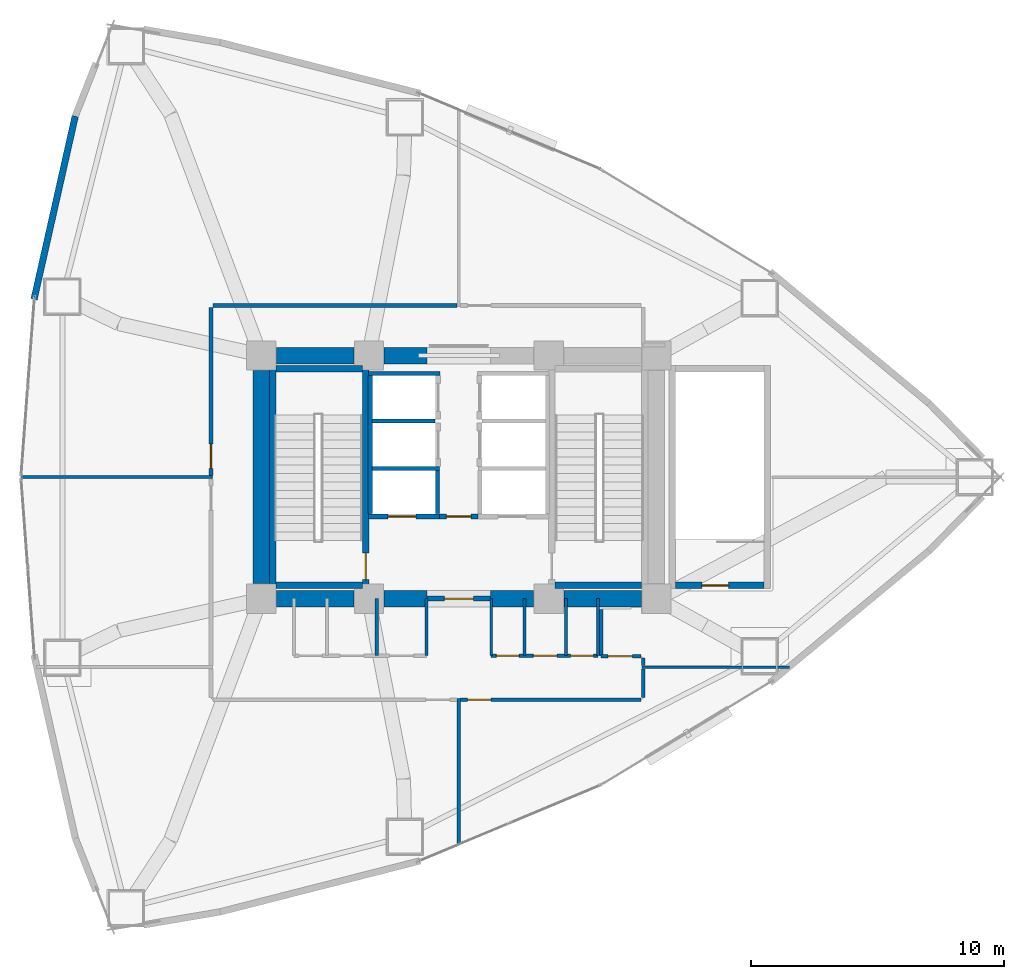
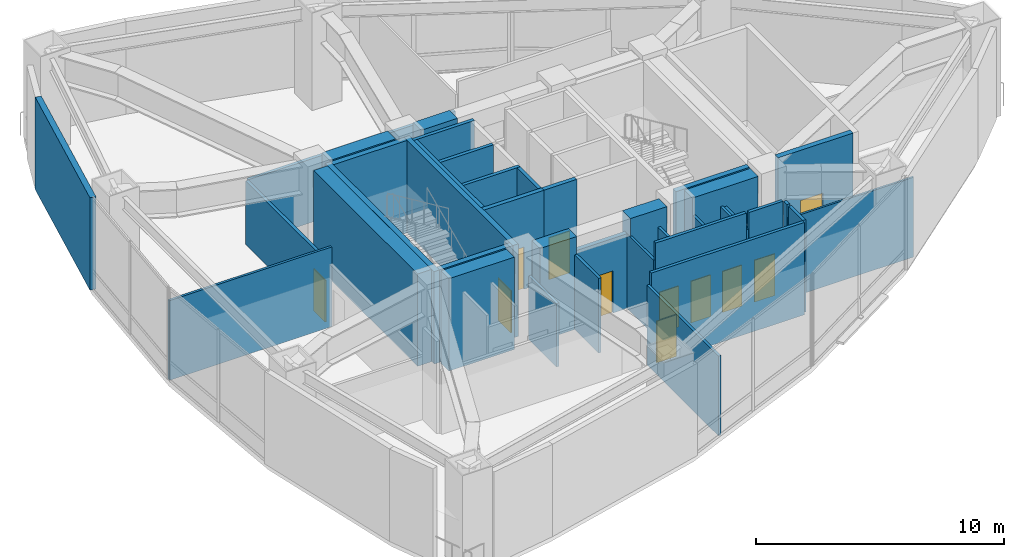
# One storey, part 16 of 19: 39 walls, 11 doors, 11 openings.
"""IFC4 building model written with IfcOpenShell, lengths in metres."""

from ifc_helpers import new_model, si_unit, direction, frame, frame_2d, origin, place, context, subcontext, project, spatial, rectangle, extrude, material, layer, layer_set, type_object, element, fill, save


model = new_model("IFC4")

# Units and contexts
model_context = context("Model", 3, precision=1e-05, world=origin(), true_north=direction((0.0, 1.0)))
body_context = subcontext(model_context, "Body", "Model", "MODEL_VIEW")
ifc_project = project(units=[si_unit("LENGTHUNIT", "METRE"), si_unit("AREAUNIT", "SQUARE_METRE"), si_unit("VOLUMEUNIT", "CUBIC_METRE"), si_unit("PLANEANGLEUNIT", "RADIAN"), si_unit("MASSUNIT", "GRAM", prefix="KILO")], contexts=[model_context])

# Site, building, storey
site_placement = place(None, origin())
site = spatial("IfcSite", under=ifc_project, at=site_placement, CompositionType="ELEMENT")
building_placement = place(site_placement, origin())
building = spatial("IfcBuilding", under=site, at=building_placement, Name="Menara Vayukalpa", CompositionType="ELEMENT")
storey_placement = place(building_placement, frame((0.0, 0.0, 22.800048828125)))
storey = spatial("IfcBuildingStorey", under=building, at=storey_placement, Name="L04", CompositionType="ELEMENT", Elevation=22.800048828125)

# Walls
ifc_material_1 = material(Name="Concrete C80/95", Category="concrete")
ifc_layer_1 = layer(ifc_material_1, 0.64990234375)
ifc_layer_set_1 = layer_set([ifc_layer_1], Name="Concrete C80/95")
wall_type_1 = type_object("IfcWallType", Name="WAL-CW650", PredefinedType="SHEAR", material=ifc_layer_set_1)
wall_1_placement = place(storey_placement, frame((18.39501953125, 17.199951171875, 0.0), z_axis=(0.0, 0.0, 1.0), x_axis=(1.0, 0.0, 0.0)))
element("IfcWall", 1, at=wall_1_placement, inside=storey, type_object=wall_type_1, Name="L04 Buttressed Core Shear Wall CWS1", PredefinedType="SHEAR", context=body_context, shape_type="SweptSolid", body=[
    extrude(rectangle(XDim=3.06005859375, YDim=0.64990234375, at=frame_2d((1.530029296875, 0.0))), origin(), (0.0, 0.0, 1.0), 4.550048828125),
])
wall_2_placement = place(storey_placement, frame((22.64501953125, 17.199951171875, 0.0), z_axis=(0.0, 0.0, 1.0), x_axis=(1.0, 0.0, 0.0)))
element("IfcWall", 2, at=wall_2_placement, inside=storey, type_object=wall_type_1, Name="L04 Buttressed Core Shear Wall CWS2", PredefinedType="SHEAR", context=body_context, shape_type="SweptSolid", body=[
    extrude(rectangle(XDim=1.705078125, YDim=0.64990234375, at=frame_2d((0.8525390625, 0.0))), origin(), (0.0, 0.0, 1.0), 4.550048828125),
])
wall_3_placement = place(storey_placement, frame((26.85009765625, 17.199951171875, 0.0), z_axis=(0.0, 0.0, 1.0), x_axis=(1.0, 0.0, 0.0)))
element("IfcWall", 3, at=wall_3_placement, inside=storey, type_object=wall_type_1, Name="L04 Buttressed Core Shear Wall CWS3", PredefinedType="SHEAR", context=body_context, shape_type="SweptSolid", body=[
    extrude(rectangle(XDim=1.704833984375, YDim=0.64990234375, at=frame_2d((0.8525390625, 0.0))), origin(), (0.0, 0.0, 1.0), 4.550048828125),
])
wall_4_placement = place(storey_placement, frame((29.7451171875, 17.199951171875, 0.0), z_axis=(0.0, 0.0, 1.0), x_axis=(1.0, 0.0, 0.0)))
element("IfcWall", 4, at=wall_4_placement, inside=storey, type_object=wall_type_1, Name="L04 Buttressed Core Shear Wall CWS4", PredefinedType="SHEAR", context=body_context, shape_type="SweptSolid", body=[
    extrude(rectangle(XDim=3.059814453125, YDim=0.64990234375, at=frame_2d((1.52978515625, 0.0))), origin(), (0.0, 0.0, 1.0), 4.550048828125),
])
wall_5_placement = place(storey_placement, frame((18.39501953125, 26.800048828125, 0.0), z_axis=(0.0, 0.0, 1.0), x_axis=(1.0, 0.0, 0.0)))
element("IfcWall", 5, at=wall_5_placement, inside=storey, type_object=wall_type_1, Name="L04 Buttressed Core Shear Wall CWN1", PredefinedType="SHEAR", context=body_context, shape_type="SweptSolid", body=[
    extrude(rectangle(XDim=3.06005859375, YDim=0.64990234375, at=frame_2d((1.530029296875, 0.0))), origin(), (0.0, 0.0, 1.0), 4.550048828125),
])
wall_6_placement = place(storey_placement, frame((22.64501953125, 26.800048828125, 0.0), z_axis=(0.0, 0.0, 1.0), x_axis=(1.0, 0.0, 0.0)))
element("IfcWall", 6, at=wall_6_placement, inside=storey, type_object=wall_type_1, Name="L04 Buttressed Core Shear Wall CWN2", PredefinedType="SHEAR", context=body_context, shape_type="SweptSolid", body=[
    extrude(rectangle(XDim=1.705078125, YDim=0.64990234375, at=frame_2d((0.8525390625, 0.0))), origin(), (0.0, 0.0, 1.0), 4.550048828125),
])
wall_7_placement = place(storey_placement, frame((17.800048828125, 17.794921875, 0.0), z_axis=(0.0, 0.0, 1.0), x_axis=(0.0, 1.0, 0.0)))
element("IfcWall", 7, at=wall_7_placement, inside=storey, type_object=wall_type_1, Name="L04 Buttressed Core Shear Wall CWW1", PredefinedType="SHEAR", context=body_context, shape_type="SweptSolid", body=[
    extrude(rectangle(XDim=8.41015625, YDim=0.64990234375, at=frame_2d((4.205078125, 0.0))), origin(), (0.0, 0.0, 1.0), 4.550048828125),
])
ifc_material_2 = material(Name="Insulated Precast Concrete C40/50", Category="concrete")
ifc_layer_2 = layer(ifc_material_2, 0.260009765625)
ifc_layer_set_2 = layer_set([ifc_layer_2], Name="Insulated Precast Concrete C40/50")
wall_type_2 = type_object("IfcWallType", Name="WAL-EXT260", PredefinedType="PARTITIONING", material=ifc_layer_set_2)
wall_8_placement = place(storey_placement, frame((8.827880859375, 29.021484375, 0.0), z_axis=(0.0, 0.0, 1.0), x_axis=(0.219512195122, 0.975609756098, 0.0)))
element("IfcWall", 8, at=wall_8_placement, inside=storey, type_object=wall_type_2, Name="L04 Perimeter Terracotta Pier Wall 09", PredefinedType="PARTITIONING", context=body_context, shape_type="SweptSolid", body=[
    extrude(rectangle(XDim=7.417236328125, YDim=0.260009765625, at=frame_2d((3.70849609375, 0.0))), origin(), (0.0, 0.0, 1.0), 4.550048828125),
])
ifc_material_3 = material(Name="Lightweight Concrete Blockwork C16/20", Category="masonry")
ifc_layer_3 = layer(ifc_material_3, 0.159912109375)
ifc_layer_set_3 = layer_set([ifc_layer_3], Name="Lightweight Concrete Blockwork C16/20")
wall_type_3 = type_object("IfcWallType", Name="WAL-FR150", PredefinedType="PARTITIONING", material=ifc_layer_set_3)
wall_9_placement = place(storey_placement, frame((22.10498046875, 20.56005859375, 0.0), z_axis=(0.0, 0.0, 1.0), x_axis=(0.0, 1.0, 0.0)))
element("IfcWall", 9, at=wall_9_placement, inside=storey, type_object=wall_type_3, Name="L04 Interior Partition IW-L04-SHW-WW", PredefinedType="PARTITIONING", context=body_context, shape_type="SweptSolid", body=[
    extrude(rectangle(XDim=5.449951171875, YDim=0.159912109375, at=frame_2d((2.72509765625, 0.0))), origin(), (0.0, 0.0, 1.0), 4.550048828125),
])
wall_10_placement = place(storey_placement, frame((24.7548828125, 20.56005859375, 0.0), z_axis=(0.0, 0.0, 1.0), x_axis=(0.0, 1.0, 0.0)))
element("IfcWall", 10, at=wall_10_placement, inside=storey, type_object=wall_type_3, Name="L04 Interior Partition IW-L04-SHW-W1E", PredefinedType="PARTITIONING", context=body_context, shape_type="SweptSolid", body=[
    extrude(rectangle(XDim=1.7099609375, YDim=0.159912109375, at=frame_2d((0.85498046875, 0.0))), origin(), (0.0, 0.0, 1.0), 4.550048828125),
])
wall_11_placement = place(storey_placement, frame((22.179931640625, 22.344970703125, 0.0), z_axis=(0.0, 0.0, 1.0), x_axis=(1.0, 0.0, 0.0)))
element("IfcWall", 11, at=wall_11_placement, inside=storey, type_object=wall_type_3, Name="L04 Interior Partition IW-L04-SHM-W12", PredefinedType="PARTITIONING", context=body_context, shape_type="SweptSolid", body=[
    extrude(rectangle(XDim=2.650146484375, YDim=0.159912109375, at=frame_2d((1.3251953125, 0.0))), origin(), (0.0, 0.0, 1.0), 4.550048828125),
])
wall_12_placement = place(storey_placement, frame((22.179931640625, 24.215087890625, 0.0), z_axis=(0.0, 0.0, 1.0), x_axis=(1.0, 0.0, 0.0)))
element("IfcWall", 12, at=wall_12_placement, inside=storey, type_object=wall_type_3, Name="L04 Interior Partition IW-L04-SHM-W23", PredefinedType="PARTITIONING", context=body_context, shape_type="SweptSolid", body=[
    extrude(rectangle(XDim=2.489990234375, YDim=0.159912109375, at=frame_2d((1.2451171875, 0.0))), origin(), (0.0, 0.0, 1.0), 4.550048828125),
])
wall_13_placement = place(storey_placement, frame((22.030029296875, 26.0849609375, 0.0), z_axis=(0.0, 0.0, 1.0), x_axis=(1.0, 0.0, 0.0)))
element("IfcWall", 13, at=wall_13_placement, inside=storey, type_object=wall_type_3, Name="L04 Interior Partition IW-L04-SHM-W3N", PredefinedType="PARTITIONING", context=body_context, shape_type="SweptSolid", body=[
    extrude(rectangle(XDim=2.830078125, YDim=0.159912109375, at=frame_2d((1.4150390625, 0.0))), origin(), (0.0, 0.0, 1.0), 4.550048828125),
])

# Wall, opening, door
ifc_material_4 = material(Name="Lightweight Concrete Blockwork C16/20", Category="masonry")
ifc_layer_4 = layer(ifc_material_4, 0.199951171875)
ifc_layer_set_4 = layer_set([ifc_layer_4], Name="Lightweight Concrete Blockwork C16/20")
wall_type_4 = type_object("IfcWallType", Name="WAL-FR200", PredefinedType="PARTITIONING", material=ifc_layer_set_4)
wall_14_placement = place(storey_placement, frame((24.35009765625, 17.199951171875, 0.0), z_axis=(0.0, 0.0, 1.0), x_axis=(1.0, 0.0, 0.0)))
wall_14 = element("IfcWall", 14, at=wall_14_placement, inside=storey, type_object=wall_type_4, Name="L04 Interior Partition IW-L04-FFLS", PredefinedType="PARTITIONING", context=body_context, shape_type="SweptSolid", body=[
    extrude(rectangle(XDim=2.5, YDim=0.199951171875, at=frame_2d((1.25, 0.0))), origin(), (0.0, 0.0, 1.0), 3.679931640625),
])
opening_1_placement = place(wall_14_placement, frame((0.679931640625, 0.0, 0.0)))
opening_1 = element("IfcOpeningElement", 15, at=opening_1_placement, cuts=wall_14, Name="Opening ID2", PredefinedType="OPENING", context=body_context, shape_type="SweptSolid", body=[
    extrude(rectangle(XDim=1.14990234375, YDim=2.080078125, at=frame_2d((0.574951171875, 1.0400390625))), frame((0.0, 0.10986328125, 0.0), z_axis=(0.0, -1.0, 0.0), x_axis=(1.0, 0.0, 0.0)), (0.0, 0.0, 1.0), 0.219970703125),
])
ifc_material_5 = material(Name="Fire-Rated Powder-Coated Steel Door", Category="steel")
door_type_1 = type_object("IfcDoorType", Name="DR-FD60W", OperationType="NOTDEFINED", PredefinedType="DOOR", material=ifc_material_5)
door_1_placement = place(opening_1_placement, origin())
door_1 = element("IfcDoor", 16, at=door_1_placement, inside=storey, type_object=door_type_1, Name="L04 Interior Door DR-L04-FFLS", OperationType="SINGLE_SWING_RIGHT", OverallHeight=2.080078125, OverallWidth=1.14990234375, PredefinedType="DOOR", context=body_context, shape_type="SweptSolid", body=[
    extrude(rectangle(XDim=1.14990234375, YDim=2.080078125, at=frame_2d((0.574951171875, 1.0400390625))), frame((0.0, 0.02490234375, 0.0), z_axis=(0.0, -1.0, 0.0), x_axis=(1.0, 0.0, 0.0)), (0.0, 0.0, 1.0), 0.050048828125),
])
fill(opening_1, door_1)

wall_15_placement = place(storey_placement, frame((24.840087890625, 20.449951171875, 0.0), z_axis=(0.0, 0.0, 1.0), x_axis=(1.0, 0.0, 0.0)))
wall_15 = element("IfcWall", 17, at=wall_15_placement, inside=storey, type_object=wall_type_4, Name="L04 Interior Partition IW-L04-FFLN", PredefinedType="PARTITIONING", context=body_context, shape_type="SweptSolid", body=[
    extrude(rectangle(XDim=1.52001953125, YDim=0.199951171875, at=frame_2d((0.760009765625, 0.0))), origin(), (0.0, 0.0, 1.0), 4.550048828125),
])
opening_2_placement = place(wall_15_placement, frame((0.27001953125, 0.0, 0.0)))
opening_2 = element("IfcOpeningElement", 18, at=opening_2_placement, cuts=wall_15, Name="Opening ID3", PredefinedType="OPENING", context=body_context, shape_type="SweptSolid", body=[
    extrude(rectangle(XDim=0.97998046875, YDim=2.06005859375, at=frame_2d((0.489990234375, 1.030029296875))), frame((0.0, 0.10986328125, 0.0), z_axis=(0.0, -1.0, 0.0), x_axis=(1.0, 0.0, 0.0)), (0.0, 0.0, 1.0), 0.219970703125),
])
ifc_material_6 = material(Name="Fire-Rated Powder-Coated Steel Door", Category="steel")
door_type_2 = type_object("IfcDoorType", Name="DR-FD60", OperationType="NOTDEFINED", PredefinedType="DOOR", material=ifc_material_6)
door_2_placement = place(opening_2_placement, origin())
door_2 = element("IfcDoor", 19, at=door_2_placement, inside=storey, type_object=door_type_2, Name="L04 Interior Door DR-L04-FFLN", OperationType="SINGLE_SWING_LEFT", OverallHeight=2.06005859375, OverallWidth=0.97998046875, PredefinedType="DOOR", context=body_context, shape_type="SweptSolid", body=[
    extrude(rectangle(XDim=0.97998046875, YDim=2.06005859375, at=frame_2d((0.489990234375, 1.030029296875))), frame((0.0, 0.02490234375, 0.0), z_axis=(0.0, -1.0, 0.0), x_axis=(1.0, 0.0, 0.0)), (0.0, 0.0, 1.0), 0.050048828125),
])
fill(opening_2, door_2)

wall_16_placement = place(storey_placement, frame((22.030029296875, 20.449951171875, 0.0), z_axis=(0.0, 0.0, 1.0), x_axis=(1.0, 0.0, 0.0)))
wall_16 = element("IfcWall", 20, at=wall_16_placement, inside=storey, type_object=wall_type_4, Name="L04 Interior Partition IW-L04-SH-W1", PredefinedType="PARTITIONING", context=body_context, shape_type="SweptSolid", body=[
    extrude(rectangle(XDim=2.800048828125, YDim=0.199951171875, at=frame_2d((1.39990234375, 0.0))), origin(), (0.0, 0.0, 1.0), 4.550048828125),
])
opening_3_placement = place(wall_16_placement, frame((0.780029296875, 0.0, 0.0)))
opening_3 = element("IfcOpeningElement", 21, at=opening_3_placement, cuts=wall_16, Name="Opening LD1", PredefinedType="OPENING", context=body_context, shape_type="SweptSolid", body=[
    extrude(rectangle(XDim=1.10009765625, YDim=2.080078125, at=frame_2d((0.550048828125, 1.0400390625))), frame((0.0, 0.10986328125, 0.0), z_axis=(0.0, -1.0, 0.0), x_axis=(1.0, 0.0, 0.0)), (0.0, 0.0, 1.0), 0.219970703125),
])
ifc_material_7 = material(Name="Brushed Stainless Steel 316 Lift Door", Category="steel")
door_type_3 = type_object("IfcDoorType", Name="DR-LD110", OperationType="NOTDEFINED", PredefinedType="DOOR", material=ifc_material_7)
door_3_placement = place(opening_3_placement, origin())
door_3 = element("IfcDoor", 22, at=door_3_placement, inside=storey, type_object=door_type_3, Name="L04 Interior Door DR-L04-LD-W1", OperationType="DOUBLE_DOOR_SLIDING", OverallHeight=2.080078125, OverallWidth=1.10009765625, PredefinedType="DOOR", context=body_context, shape_type="SweptSolid", body=[
    extrude(rectangle(XDim=1.10009765625, YDim=2.080078125, at=frame_2d((0.550048828125, 1.0400390625))), frame((0.0, 0.02490234375, 0.0), z_axis=(0.0, -1.0, 0.0), x_axis=(1.0, 0.0, 0.0)), (0.0, 0.0, 1.0), 0.050048828125),
])
fill(opening_3, door_3)

# Walls
ifc_material_8 = material(Name="Glazed Demountable Office Partition", Category="glass")
ifc_layer_5 = layer(ifc_material_8, 0.094970703125)
ifc_layer_set_5 = layer_set([ifc_layer_5], Name="Glazed Demountable Office Partition")
wall_type_5 = type_object("IfcWallType", Name="WAL-PT100", PredefinedType="PARTITIONING", material=ifc_layer_set_5)
wall_17_placement = place(storey_placement, frame((32.830078125, 14.5, 0.0), z_axis=(0.0, 0.0, 1.0), x_axis=(1.0, 0.0, 0.0)))
element("IfcWall", 23, at=wall_17_placement, inside=storey, type_object=wall_type_5, Name="L04 Interior Partition IW-L04-RDIV04", PredefinedType="PARTITIONING", context=body_context, shape_type="SweptSolid", body=[
    extrude(rectangle(XDim=5.8232421875, YDim=0.094970703125, at=frame_2d((2.91162109375, 0.0))), origin(), (0.0, 0.0, 1.0), 3.929931640625),
])
ifc_material_9 = material(Name="Acoustic Mineral Stud Partition", Category="masonry")
ifc_layer_6 = layer(ifc_material_9, 0.110107421875)
ifc_layer_set_6 = layer_set([ifc_layer_6], Name="Acoustic Mineral Stud Partition")
wall_type_6 = type_object("IfcWallType", Name="WAL-PT110", PredefinedType="PARTITIONING", material=ifc_layer_set_6)
for number, where, z_axis, x_axis, name in (
    (24, (26.8798828125, 14.949951171875, 0.0), (0.0, 0.0, 1.0), (0.0, 1.0, 0.0), "L04 Interior Partition IW-L04-SVCD-05"),
    (25, (31.10009765625, 14.949951171875, 0.0), (0.0, 0.0, 1.0), (0.0, 1.0, 0.0), "L04 Interior Partition IW-L04-SVCD-08"),
):
    element("IfcWall", number, at=place(storey_placement, frame(where, z_axis=z_axis, x_axis=x_axis)), inside=storey, type_object=wall_type_6, Name=name, PredefinedType="PARTITIONING", context=body_context, shape_type="SweptSolid", body=[
        extrude(rectangle(XDim=2.25, YDim=0.110107421875, at=frame_2d((1.125, 0.0))), origin(), (0.0, 0.0, 1.0), 3.679931640625),
    ])
wall_18_placement = place(storey_placement, frame((8.307373046875, 22.0, 0.0), z_axis=(0.0, 0.0, 1.0), x_axis=(1.0, 0.0, 0.0)))
element("IfcWall", 26, at=wall_18_placement, inside=storey, type_object=wall_type_6, Name="L04 Interior Partition IW-L04-RDIV05", PredefinedType="PARTITIONING", context=body_context, shape_type="SweptSolid", body=[
    extrude(rectangle(XDim=7.562744140625, YDim=0.110107421875, at=frame_2d((3.78125, 0.0))), origin(), (0.0, 0.0, 1.0), 3.929931640625),
])
ifc_material_10 = material(Name="Gypsum Drywall Steel Stud Assembly", Category="steel")
ifc_layer_7 = layer(ifc_material_10, 0.125)
ifc_layer_set_7 = layer_set([ifc_layer_7], Name="Gypsum Drywall Steel Stud Assembly")
wall_type_7 = type_object("IfcWallType", Name="WAL-PT125", PredefinedType="PARTITIONING", material=ifc_layer_set_7)
wall_19_placement = place(storey_placement, frame((22.360107421875, 14.949951171875, 0.0), z_axis=(0.0, 0.0, 1.0), x_axis=(0.0, 1.0, 0.0)))
element("IfcWall", 27, at=wall_19_placement, inside=storey, type_object=wall_type_7, Name="L04 Interior Partition IW-L04-SVCD-03", PredefinedType="PARTITIONING", context=body_context, shape_type="SweptSolid", body=[
    extrude(rectangle(XDim=2.25, YDim=0.125, at=frame_2d((1.125, 0.0))), origin(), (0.0, 0.0, 1.0), 3.1298828125),
])
for number, where, z_axis, x_axis, name in (
    (28, (24.320068359375, 14.949951171875, 0.0), (0.0, 0.0, 1.0), (0.0, 1.0, 0.0), "L04 Interior Partition IW-L04-SVCD-04"),
    (29, (28.18994140625, 14.949951171875, 0.0), (0.0, 0.0, 1.0), (0.0, 1.0, 0.0), "L04 Interior Partition IW-L04-SVCD-06"),
    (30, (29.830078125, 14.949951171875, 0.0), (0.0, 0.0, 1.0), (0.0, 1.0, 0.0), "L04 Interior Partition IW-L04-SVCD-07"),
):
    element("IfcWall", number, at=place(storey_placement, frame(where, z_axis=z_axis, x_axis=x_axis)), inside=storey, type_object=wall_type_7, Name=name, PredefinedType="PARTITIONING", context=body_context, shape_type="SweptSolid", body=[
        extrude(rectangle(XDim=2.25, YDim=0.125, at=frame_2d((1.125, 0.0))), origin(), (0.0, 0.0, 1.0), 3.679931640625),
    ])
wall_20_placement = place(storey_placement, frame((25.60009765625, 7.489013671875, 0.0), z_axis=(0.0, 0.0, 1.0), x_axis=(0.0, 1.0, 0.0)))
element("IfcWall", 31, at=wall_20_placement, inside=storey, type_object=wall_type_7, Name="L04 Interior Partition IW-L04-RDIV01", PredefinedType="PARTITIONING", context=body_context, shape_type="SweptSolid", body=[
    extrude(rectangle(XDim=5.77099609375, YDim=0.125, at=frame_2d((2.885498046875, 0.0))), origin(), (0.0, 0.0, 1.0), 3.929931640625),
])

# Wall, openings, doors
ifc_material_11 = material(Name="Gypsum Drywall Acoustic Stud Assembly", Category="masonry")
ifc_layer_8 = layer(ifc_material_11, 0.14501953125)
ifc_layer_set_8 = layer_set([ifc_layer_8], Name="Gypsum Drywall Acoustic Stud Assembly")
wall_type_8 = type_object("IfcWallType", Name="WAL-PT150", PredefinedType="PARTITIONING", material=ifc_layer_set_8)
wall_21_placement = place(storey_placement, frame((26.8798828125, 14.949951171875, 0.0), z_axis=(0.0, 0.0, 1.0), x_axis=(1.0, 0.0, 0.0)))
wall_21 = element("IfcWall", 32, at=wall_21_placement, inside=storey, type_object=wall_type_8, Name="L04 Interior Partition IW-L04-SVCS-E", PredefinedType="PARTITIONING", context=body_context, shape_type="SweptSolid", body=[
    extrude(rectangle(XDim=4.22021484375, YDim=0.14501953125, at=frame_2d((2.110107421875, 0.0))), origin(), (0.0, 0.0, 1.0), 4.550048828125),
])
opening_4_placement = place(wall_21_placement, frame((0.199951171875, 0.0, 0.0)))
opening_4 = element("IfcOpeningElement", 33, at=opening_4_placement, cuts=wall_21, Name="Opening ID7", PredefinedType="OPENING", context=body_context, shape_type="SweptSolid", body=[
    extrude(rectangle(XDim=0.89990234375, YDim=2.02001953125, at=frame_2d((0.449951171875, 1.010009765625))), frame((0.0, 0.08251953125, 0.0), z_axis=(0.0, -1.0, 0.0), x_axis=(1.0, 0.0, 0.0)), (0.0, 0.0, 1.0), 0.1650390625),
])
opening_5_placement = place(wall_21_placement, frame((1.669921875, 0.0, 0.0)))
opening_5 = element("IfcOpeningElement", 34, at=opening_5_placement, cuts=wall_21, Name="Opening ID6", PredefinedType="OPENING", context=body_context, shape_type="SweptSolid", body=[
    extrude(rectangle(XDim=0.919921875, YDim=2.050048828125, at=frame_2d((0.4599609375, 1.02490234375))), frame((0.0, 0.08251953125, 0.0), z_axis=(0.0, -1.0, 0.0), x_axis=(1.0, 0.0, 0.0)), (0.0, 0.0, 1.0), 0.1650390625),
])
opening_6_placement = place(wall_21_placement, frame((3.139892578125, 0.0, 0.0)))
opening_6 = element("IfcOpeningElement", 35, at=opening_6_placement, cuts=wall_21, Name="Opening ID7", PredefinedType="OPENING", context=body_context, shape_type="SweptSolid", body=[
    extrude(rectangle(XDim=0.89990234375, YDim=2.02001953125, at=frame_2d((0.449951171875, 1.010009765625))), frame((0.0, 0.08251953125, 0.0), z_axis=(0.0, -1.0, 0.0), x_axis=(1.0, 0.0, 0.0)), (0.0, 0.0, 1.0), 0.1650390625),
])
ifc_material_12 = material(Name="Acoustic Hardwood Veneer Timber Door", Category="wood")
door_type_4 = type_object("IfcDoorType", Name="DR-INT92", OperationType="NOTDEFINED", PredefinedType="DOOR", material=ifc_material_12)
door_4_placement = place(opening_5_placement, origin())
door_4 = element("IfcDoor", 36, at=door_4_placement, inside=storey, type_object=door_type_4, Name="L04 Interior Door DR-L04-KSV2", OperationType="SINGLE_SWING_RIGHT", OverallHeight=2.050048828125, OverallWidth=0.919921875, PredefinedType="DOOR", context=body_context, shape_type="SweptSolid", body=[
    extrude(rectangle(XDim=0.919921875, YDim=2.050048828125, at=frame_2d((0.4599609375, 1.02490234375))), frame((0.0, 0.02490234375, 0.0), z_axis=(0.0, -1.0, 0.0), x_axis=(1.0, 0.0, 0.0)), (0.0, 0.0, 1.0), 0.050048828125),
])
fill(opening_5, door_4)
ifc_material_13 = material(Name="Powder-Coated Steel Riser Access Door", Category="steel")
door_type_5 = type_object("IfcDoorType", Name="DR-RISER", OperationType="NOTDEFINED", PredefinedType="DOOR", material=ifc_material_13)
door_5_placement = place(opening_4_placement, origin())
door_5 = element("IfcDoor", 37, at=door_5_placement, inside=storey, type_object=door_type_5, Name="L04 Interior Door DR-L04-KSV1", OperationType="SINGLE_SWING_LEFT", OverallHeight=2.02001953125, OverallWidth=0.89990234375, PredefinedType="DOOR", context=body_context, shape_type="SweptSolid", body=[
    extrude(rectangle(XDim=0.89990234375, YDim=2.02001953125, at=frame_2d((0.449951171875, 1.010009765625))), frame((0.0, 0.02490234375, 0.0), z_axis=(0.0, -1.0, 0.0), x_axis=(1.0, 0.0, 0.0)), (0.0, 0.0, 1.0), 0.050048828125),
])
fill(opening_4, door_5)
door_6_placement = place(opening_6_placement, origin())
door_6 = element("IfcDoor", 38, at=door_6_placement, inside=storey, type_object=door_type_5, Name="L04 Interior Door DR-L04-SMD", OperationType="SINGLE_SWING_LEFT", OverallHeight=2.02001953125, OverallWidth=0.89990234375, PredefinedType="DOOR", context=body_context, shape_type="SweptSolid", body=[
    extrude(rectangle(XDim=0.89990234375, YDim=2.02001953125, at=frame_2d((0.449951171875, 1.010009765625))), frame((0.0, 0.02490234375, 0.0), z_axis=(0.0, -1.0, 0.0), x_axis=(1.0, 0.0, 0.0)), (0.0, 0.0, 1.0), 0.050048828125),
])
fill(opening_6, door_6)

# Wall, opening, door
wall_22_placement = place(storey_placement, frame((25.669921875, 13.2099609375, 0.0), z_axis=(0.0, 0.0, 1.0), x_axis=(1.0, 0.0, 0.0)))
wall_22 = element("IfcWall", 39, at=wall_22_placement, inside=storey, type_object=wall_type_8, Name="L04 Interior Partition IW-L04-CRM04-1", PredefinedType="PARTITIONING", context=body_context, shape_type="SweptSolid", body=[
    extrude(rectangle(XDim=7.130126953125, YDim=0.14501953125, at=frame_2d((3.56494140625, 0.0))), origin(), (0.0, 0.0, 1.0), 4.550048828125),
])
opening_7_placement = place(wall_22_placement, frame((0.280029296875, 0.0, 0.0)))
opening_7 = element("IfcOpeningElement", 40, at=opening_7_placement, cuts=wall_22, Name="Opening ID6", PredefinedType="OPENING", context=body_context, shape_type="SweptSolid", body=[
    extrude(rectangle(XDim=0.919921875, YDim=2.050048828125, at=frame_2d((0.4599609375, 1.02490234375))), frame((0.0, 0.08251953125, 0.0), z_axis=(0.0, -1.0, 0.0), x_axis=(1.0, 0.0, 0.0)), (0.0, 0.0, 1.0), 0.1650390625),
])
door_7_placement = place(opening_7_placement, origin())
door_7 = element("IfcDoor", 41, at=door_7_placement, inside=storey, type_object=door_type_4, Name="L04 Interior Door DR-L04-RM04", OperationType="SINGLE_SWING_RIGHT", OverallHeight=2.050048828125, OverallWidth=0.919921875, PredefinedType="DOOR", context=body_context, shape_type="SweptSolid", body=[
    extrude(rectangle(XDim=0.919921875, YDim=2.050048828125, at=frame_2d((0.4599609375, 1.02490234375))), frame((0.0, 0.02490234375, 0.0), z_axis=(0.0, -1.0, 0.0), x_axis=(1.0, 0.0, 0.0)), (0.0, 0.0, 1.0), 0.050048828125),
])
fill(opening_7, door_7)

# Walls
wall_23_placement = place(storey_placement, frame((32.8798828125, 13.2900390625, 0.0), z_axis=(0.0, 0.0, 1.0), x_axis=(0.0, 1.0, 0.0)))
element("IfcWall", 42, at=wall_23_placement, inside=storey, type_object=wall_type_8, Name="L04 Interior Partition IW-L04-CRM04-2", PredefinedType="PARTITIONING", context=body_context, shape_type="SweptSolid", body=[
    extrude(rectangle(XDim=1.139892578125, YDim=0.14501953125, at=frame_2d((0.56982421875, 0.0))), origin(), (0.0, 0.0, 1.0), 4.550048828125),
])
wall_24_placement = place(storey_placement, frame((32.8798828125, 14.570068359375, 0.0), z_axis=(0.0, 0.0, 1.0), x_axis=(0.0, 1.0, 0.0)))
element("IfcWall", 43, at=wall_24_placement, inside=storey, type_object=wall_type_8, Name="L04 Interior Partition IW-L04-CRM05-1", PredefinedType="PARTITIONING", context=body_context, shape_type="SweptSolid", body=[
    extrude(rectangle(XDim=0.280029296875, YDim=0.14501953125, at=frame_2d((0.14013671875, 0.0))), origin(), (0.0, 0.0, 1.0), 4.550048828125),
])

# Wall, opening, door
wall_25_placement = place(storey_placement, frame((32.800048828125, 14.929931640625, 0.0), z_axis=(0.0, 0.0, 1.0), x_axis=(-1.0, 0.0, 0.0)))
wall_25 = element("IfcWall", 44, at=wall_25_placement, inside=storey, type_object=wall_type_8, Name="L04 Interior Partition IW-L04-CRM05-2", PredefinedType="PARTITIONING", context=body_context, shape_type="SweptSolid", body=[
    extrude(rectangle(XDim=1.580078125, YDim=0.14501953125, at=frame_2d((0.7900390625, 0.0))), origin(), (0.0, 0.0, 1.0), 4.550048828125),
])
opening_8_placement = place(wall_25_placement, frame((0.35009765625, 0.0, 0.0)))
opening_8 = element("IfcOpeningElement", 45, at=opening_8_placement, cuts=wall_25, Name="Opening ID5", PredefinedType="OPENING", context=body_context, shape_type="SweptSolid", body=[
    extrude(rectangle(XDim=0.949951171875, YDim=2.06005859375, at=frame_2d((0.47509765625, 1.030029296875))), frame((0.0, 0.08251953125, 0.0), z_axis=(0.0, -1.0, 0.0), x_axis=(1.0, 0.0, 0.0)), (0.0, 0.0, 1.0), 0.1650390625),
])
ifc_material_14 = material(Name="Acoustic Hardwood Veneer Timber Door", Category="wood")
door_type_6 = type_object("IfcDoorType", Name="DR-INT95", OperationType="NOTDEFINED", PredefinedType="DOOR", material=ifc_material_14)
door_8_placement = place(opening_8_placement, origin())
door_8 = element("IfcDoor", 46, at=door_8_placement, inside=storey, type_object=door_type_6, Name="L04 Interior Door DR-L04-RM05", OperationType="SINGLE_SWING_LEFT", OverallHeight=2.06005859375, OverallWidth=0.949951171875, PredefinedType="DOOR", context=body_context, shape_type="SweptSolid", body=[
    extrude(rectangle(XDim=0.949951171875, YDim=2.06005859375, at=frame_2d((0.47509765625, 1.030029296875))), frame((0.0, 0.02490234375, 0.0), z_axis=(0.0, -1.0, 0.0), x_axis=(1.0, 0.0, 0.0)), (0.0, 0.0, 1.0), 0.050048828125),
])
fill(opening_8, door_8)

# Walls
wall_26_placement = place(storey_placement, frame((31.219970703125, 14.929931640625, 0.0), z_axis=(0.0, 0.0, 1.0), x_axis=(0.0, 1.0, 0.0)))
element("IfcWall", 47, at=wall_26_placement, inside=storey, type_object=wall_type_8, Name="L04 Interior Partition IW-L04-CRM05-3", PredefinedType="PARTITIONING", context=body_context, shape_type="SweptSolid", body=[
    extrude(rectangle(XDim=1.85009765625, YDim=0.14501953125, at=frame_2d((0.925048828125, 0.0))), origin(), (0.0, 0.0, 1.0), 3.679931640625),
])
wall_27_placement = place(storey_placement, frame((25.530029296875, 28.780029296875, 0.0), z_axis=(0.0, 0.0, 1.0), x_axis=(-1.0, 0.0, 0.0)))
element("IfcWall", 48, at=wall_27_placement, inside=storey, type_object=wall_type_8, Name="L04 Interior Partition IW-L04-CRM07-1", PredefinedType="PARTITIONING", context=body_context, shape_type="SweptSolid", body=[
    extrude(rectangle(XDim=9.630126953125, YDim=0.14501953125, at=frame_2d((4.81494140625, 0.0))), origin(), (0.0, 0.0, 1.0), 3.1298828125),
])

# Wall, opening, door
wall_28_placement = place(storey_placement, frame((15.820068359375, 28.699951171875, 0.0), z_axis=(0.0, 0.0, 1.0), x_axis=(0.0, -1.0, 0.0)))
wall_28 = element("IfcWall", 49, at=wall_28_placement, inside=storey, type_object=wall_type_8, Name="L04 Interior Partition IW-L04-CRM07-2", PredefinedType="PARTITIONING", context=body_context, shape_type="SweptSolid", body=[
    extrude(rectangle(XDim=6.6298828125, YDim=0.14501953125, at=frame_2d((3.31494140625, 0.0))), origin(), (0.0, 0.0, 1.0), 3.1298828125),
])
opening_9_placement = place(wall_28_placement, frame((5.39990234375, 0.0, 0.0)))
opening_9 = element("IfcOpeningElement", 50, at=opening_9_placement, cuts=wall_28, Name="Opening ID5", PredefinedType="OPENING", context=body_context, shape_type="SweptSolid", body=[
    extrude(rectangle(XDim=0.949951171875, YDim=2.06005859375, at=frame_2d((0.47509765625, 1.030029296875))), frame((0.0, 0.08251953125, 0.0), z_axis=(0.0, -1.0, 0.0), x_axis=(1.0, 0.0, 0.0)), (0.0, 0.0, 1.0), 0.1650390625),
])
door_9_placement = place(opening_9_placement, origin())
door_9 = element("IfcDoor", 51, at=door_9_placement, inside=storey, type_object=door_type_6, Name="L04 Interior Door DR-L04-RM07", OperationType="SINGLE_SWING_LEFT", OverallHeight=2.06005859375, OverallWidth=0.949951171875, PredefinedType="DOOR", context=body_context, shape_type="SweptSolid", body=[
    extrude(rectangle(XDim=0.949951171875, YDim=2.06005859375, at=frame_2d((0.47509765625, 1.030029296875))), frame((0.0, 0.02490234375, 0.0), z_axis=(0.0, -1.0, 0.0), x_axis=(1.0, 0.0, 0.0)), (0.0, 0.0, 1.0), 0.050048828125),
])
fill(opening_9, door_9)

# Wall
ifc_material_15 = material(Name="Concrete C50/60", Category="concrete")
ifc_layer_9 = layer(ifc_material_15, 0.25)
ifc_layer_set_9 = layer_set([ifc_layer_9], Name="Concrete C50/60")
wall_type_9 = type_object("IfcWallType", Name="WAL-SW250", PredefinedType="SHEAR", material=ifc_layer_set_9)
wall_29_placement = place(storey_placement, frame((18.25390625, 17.60009765625, 0.0), z_axis=(0.0, 0.0, 1.0), x_axis=(0.0, 1.0, 0.0)))
element("IfcWall", 52, at=wall_29_placement, inside=storey, type_object=wall_type_9, Name="L04 ST1 Structural Stair Shaft Wall W", PredefinedType="SHEAR", context=body_context, shape_type="SweptSolid", body=[
    extrude(rectangle(XDim=8.7998046875, YDim=0.25, at=frame_2d((4.39990234375, 0.0))), origin(), (0.0, 0.0, 1.0), 4.550048828125),
])

# Wall, opening, door
wall_30_placement = place(storey_placement, frame((21.925048828125, 17.60009765625, 0.0), z_axis=(0.0, 0.0, 1.0), x_axis=(0.0, 1.0, 0.0)))
wall_30 = element("IfcWall", 53, at=wall_30_placement, inside=storey, type_object=wall_type_9, Name="L04 ST1 Structural Stair Shaft Wall E", PredefinedType="SHEAR", context=body_context, shape_type="SweptSolid", body=[
    extrude(rectangle(XDim=8.7998046875, YDim=0.25, at=frame_2d((4.39990234375, 0.0))), origin(), (0.0, 0.0, 1.0), 4.550048828125),
])
opening_10_placement = place(wall_30_placement, frame((0.35009765625, 0.0, 0.0)))
opening_10 = element("IfcOpeningElement", 54, at=opening_10_placement, cuts=wall_30, Name="Opening ID1", PredefinedType="OPENING", context=body_context, shape_type="SweptSolid", body=[
    extrude(rectangle(XDim=1.050048828125, YDim=2.080078125, at=frame_2d((0.52490234375, 1.0400390625))), frame((0.0, 0.135009765625, 0.0), z_axis=(0.0, -1.0, 0.0), x_axis=(1.0, 0.0, 0.0)), (0.0, 0.0, 1.0), 0.27001953125),
])
ifc_material_16 = material(Name="Fire-Rated Powder-Coated Steel Door", Category="steel")
door_type_7 = type_object("IfcDoorType", Name="DR-FD120", OperationType="NOTDEFINED", PredefinedType="DOOR", material=ifc_material_16)
door_10_placement = place(opening_10_placement, origin())
door_10 = element("IfcDoor", 55, at=door_10_placement, inside=storey, type_object=door_type_7, Name="L04 Stair Exit Door DR-L04-ST1", OperationType="SINGLE_SWING_LEFT", OverallHeight=2.080078125, OverallWidth=1.050048828125, PredefinedType="DOOR", context=body_context, shape_type="SweptSolid", body=[
    extrude(rectangle(XDim=1.050048828125, YDim=2.080078125, at=frame_2d((0.52490234375, 1.0400390625))), frame((0.0, 0.02490234375, 0.0), z_axis=(0.0, -1.0, 0.0), x_axis=(1.0, 0.0, 0.0)), (0.0, 0.0, 1.0), 0.050048828125),
])
fill(opening_10, door_10)

# Walls
for number, where, z_axis, x_axis, name in (
    (56, (18.37890625, 17.72509765625, 0.0), (0.0, 0.0, 1.0), (1.0, 0.0, 0.0), "L04 ST1 Structural Stair Shaft Wall S"),
    (57, (18.37890625, 26.27490234375, 0.0), (0.0, 0.0, 1.0), (1.0, 0.0, 0.0), "L04 ST1 Structural Stair Shaft Wall N"),
    (58, (29.39990234375, 17.72509765625, 0.0), (0.0, 0.0, 1.0), (1.0, 0.0, 0.0), "L04 ST2 Structural Stair Shaft Wall S"),
):
    element("IfcWall", number, at=place(storey_placement, frame(where, z_axis=z_axis, x_axis=x_axis)), inside=storey, type_object=wall_type_9, Name=name, PredefinedType="SHEAR", context=body_context, shape_type="SweptSolid", body=[
        extrude(rectangle(XDim=3.421142578125, YDim=0.25, at=frame_2d((1.71044921875, 0.0))), origin(), (0.0, 0.0, 1.0), 4.550048828125),
    ])

# Wall, opening, door
wall_31_placement = place(storey_placement, frame((34.14990234375, 17.72509765625, 0.0), z_axis=(0.0, 0.0, 1.0), x_axis=(1.0, 0.0, 0.0)))
wall_31 = element("IfcWall", 59, at=wall_31_placement, inside=storey, type_object=wall_type_9, Name="L04 ST3 Structural Stair Shaft Wall S", PredefinedType="SHEAR", context=body_context, shape_type="SweptSolid", body=[
    extrude(rectangle(XDim=3.5, YDim=0.25, at=frame_2d((1.75, 0.0))), origin(), (0.0, 0.0, 1.0), 4.550048828125),
])
opening_11_placement = place(wall_31_placement, frame((1.050048828125, 0.0, 0.0)))
opening_11 = element("IfcOpeningElement", 60, at=opening_11_placement, cuts=wall_31, Name="Opening ID1", PredefinedType="OPENING", context=body_context, shape_type="SweptSolid", body=[
    extrude(rectangle(XDim=1.050048828125, YDim=2.080078125, at=frame_2d((0.52490234375, 1.0400390625))), frame((0.0, 0.135009765625, 0.0), z_axis=(0.0, -1.0, 0.0), x_axis=(1.0, 0.0, 0.0)), (0.0, 0.0, 1.0), 0.27001953125),
])
door_11_placement = place(opening_11_placement, origin())
door_11 = element("IfcDoor", 61, at=door_11_placement, inside=storey, type_object=door_type_7, Name="L04 Stair Exit Door DR-L04-ST3", OperationType="SINGLE_SWING_RIGHT", OverallHeight=2.080078125, OverallWidth=1.050048828125, PredefinedType="DOOR", context=body_context, shape_type="SweptSolid", body=[
    extrude(rectangle(XDim=1.050048828125, YDim=2.080078125, at=frame_2d((0.52490234375, 1.0400390625))), frame((0.0, 0.02490234375, 0.0), z_axis=(0.0, -1.0, 0.0), x_axis=(1.0, 0.0, 0.0)), (0.0, 0.0, 1.0), 0.050048828125),
])
fill(opening_11, door_11)

save(model, "model.ifc")
